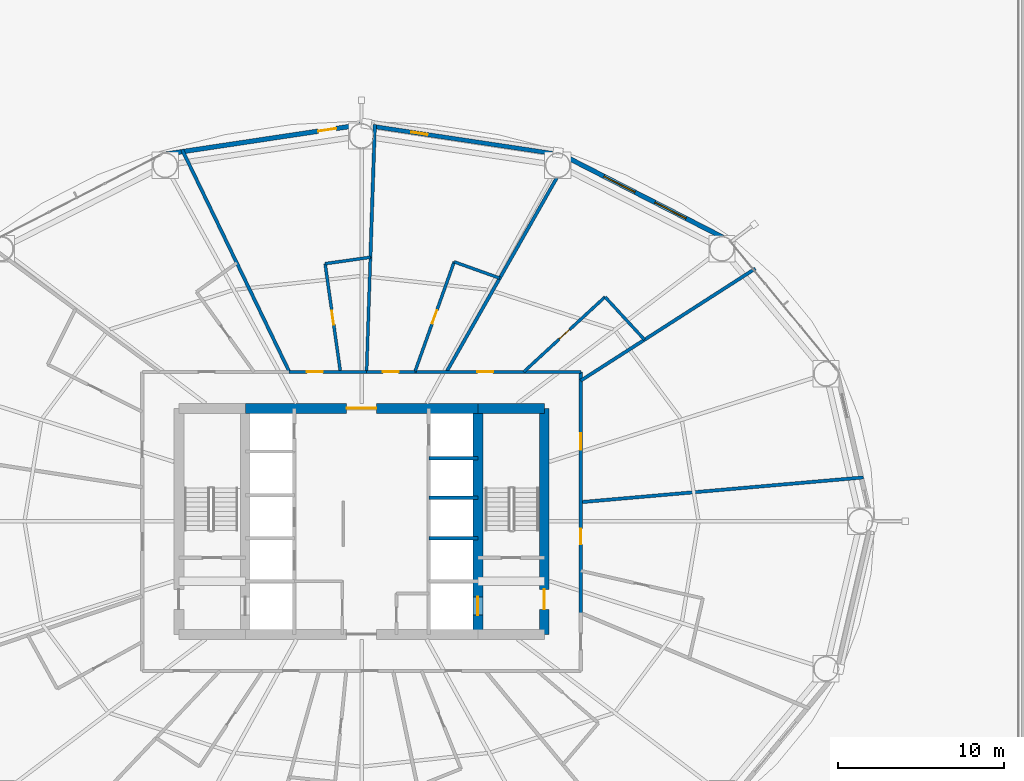
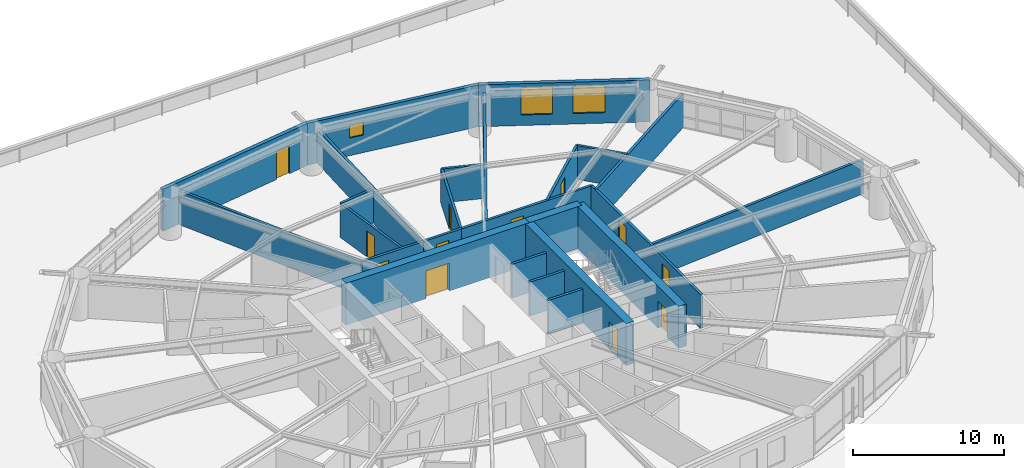
# One storey, part 25 of 30: 26 walls, 12 doors, 3 windows, 15 openings.
"""IFC4 building model written with IfcOpenShell, lengths in metres."""

import ifcopenshell
import ifcopenshell.guid

model = None  # the IFC model being written
_history = None  # IfcOwnerHistory: only IFC2X3 demands one
_inside = {}  # id of a spatial element -> (the spatial element, [elements in it])
_under = {}  # id of a project, library or spatial element -> (it, [spatial elements below it])
_declared = {}  # id of a project -> (the project, [libraries it declares])
_typed = {}  # id of a type object -> (the type object, [elements of that type])
_made_of = {}  # id of a material, layer set ... -> (it, [elements and type objects made of it])


def new_model(schema):
    """Start an empty IFC model of exactly this schema.

    Asked for "IFC4X3", IfcOpenShell would pick the latest addendum, in which some entities
    have other attributes; the version numbers below select the first issue.
    IFC2X3 requires an IfcOwnerHistory on every rooted entity: one is made here for all.
    """
    global model, _history
    if schema == "IFC4X3":
        model = ifcopenshell.file(schema_version=(4, 3, 0, 0))
    else:
        model = ifcopenshell.file(schema=schema)
    _inside.clear()
    _under.clear()
    _declared.clear()
    _typed.clear()
    _made_of.clear()
    _history = None
    if model.schema == "IFC2X3":
        org = make("IfcOrganization", Name="unknown")
        user = make(
            "IfcPersonAndOrganization",
            ThePerson=make("IfcPerson", FamilyName="unknown"),
            TheOrganization=org,
        )
        app = make(
            "IfcApplication",
            ApplicationDeveloper=org,
            Version="unknown",
            ApplicationFullName="unknown",
            ApplicationIdentifier="unknown",
        )
        _history = make(
            "IfcOwnerHistory",
            OwningUser=user,
            OwningApplication=app,
            ChangeAction="ADDED",
            CreationDate=0,
        )
    return model


def make(cls, **values):
    """One entity of the class cls with the attributes given. An attribute that is None is left unset."""
    return model.create_entity(
        cls, **{name: value for name, value in values.items() if value is not None}
    )


def rooted(cls, **values):
    """An entity with a GlobalId (a new one), such as an element, a storey or a relation."""
    return make(cls, GlobalId=ifcopenshell.guid.new(), OwnerHistory=_history, **values)


def si_unit(unit_type, name, prefix=None):
    """IfcSIUnit, for example si_unit("LENGTHUNIT", "METRE", prefix="MILLI")."""
    return make("IfcSIUnit", UnitType=unit_type, Prefix=prefix, Name=name)


def assignment(units):
    """IfcUnitAssignment: the units of a project."""
    return None if units is None else make("IfcUnitAssignment", Units=units)


def point(xyz):
    """IfcCartesianPoint."""
    return None if xyz is None else make("IfcCartesianPoint", Coordinates=xyz)


def direction(xyz):
    """IfcDirection."""
    return None if xyz is None else make("IfcDirection", DirectionRatios=xyz)


def frame(location, z_axis=None, x_axis=None):
    """IfcAxis2Placement3D, a coordinate frame: its origin and axes. An axis left out is left unset."""
    return make(
        "IfcAxis2Placement3D",
        Location=point(location),
        Axis=direction(z_axis),
        RefDirection=direction(x_axis),
    )


def frame_2d(location, x_axis=None):
    """IfcAxis2Placement2D, a coordinate frame in the plane: its origin and x axis."""
    return make(
        "IfcAxis2Placement2D", Location=point(location), RefDirection=direction(x_axis)
    )


def origin():
    """The frame at (0, 0, 0) with its axes left unset."""
    return frame((0.0, 0.0, 0.0))


def place(relative_to, where):
    """IfcLocalPlacement: puts the frame where relative to a parent placement (None: the world)."""
    return make(
        "IfcLocalPlacement", PlacementRelTo=relative_to, RelativePlacement=where
    )


def context(
    kind, dimensions, precision=None, world=None, true_north=None, identifier=None
):
    """IfcGeometricRepresentationContext, for example the 3D "Model" context."""
    return make(
        "IfcGeometricRepresentationContext",
        ContextIdentifier=identifier,
        ContextType=kind,
        CoordinateSpaceDimension=dimensions,
        Precision=precision,
        WorldCoordinateSystem=world,
        TrueNorth=true_north,
    )


def subcontext(parent, identifier, kind, view, scale=None):
    """IfcGeometricRepresentationSubContext, for example "Body" below "Model"."""
    return make(
        "IfcGeometricRepresentationSubContext",
        ContextIdentifier=identifier,
        ContextType=kind,
        ParentContext=parent,
        TargetScale=scale,
        TargetView=view,
    )


def project(units=None, contexts=None):
    """IfcProject with its units and contexts."""
    return rooted(
        "IfcProject",
        Name="project",
        RepresentationContexts=contexts,
        UnitsInContext=assignment(units),
    )


def spatial(cls, under=None, at=None, **own):
    """A site, building, storey or space (cls), placed at a placement, below another one or the project."""
    s = rooted(cls, ObjectPlacement=at, **own)
    if under is not None:
        _under.setdefault(under.id(), (under, []))[1].append(s)
    return s


def profile(cls, at=None, kind="AREA", **sizes):
    """A parametric profile (cls). Its sizes go by their IFC names, for example OverallWidth=200.0."""
    return make(cls, ProfileType=kind, Position=at, **sizes)


def rectangle(**sizes):
    """IfcRectangleProfileDef."""
    return profile("IfcRectangleProfileDef", **sizes)


def extrude(swept, where, along, depth):
    """IfcExtrudedAreaSolid: the profile swept, set in the frame where, extruded along a direction by depth."""
    return make(
        "IfcExtrudedAreaSolid",
        SweptArea=swept,
        Position=where,
        ExtrudedDirection=direction(along),
        Depth=depth,
    )


def shape(context_of_items, identifier, shape_type, items):
    """IfcShapeRepresentation: the items that make up one representation, for example the "Body"."""
    return make(
        "IfcShapeRepresentation",
        ContextOfItems=context_of_items,
        RepresentationIdentifier=identifier,
        RepresentationType=shape_type,
        Items=items,
    )


def material(Name=None, Category=None):
    """IfcMaterial."""
    return make("IfcMaterial", Name=Name, Category=Category)


def layer(
    of_material, thickness, ventilated=None, Name=None, Category=None, Priority=None
):
    """IfcMaterialLayer: one layer of a wall or slab, of a material (None: an air gap)."""
    return make(
        "IfcMaterialLayer",
        Material=of_material,
        LayerThickness=thickness,
        IsVentilated=ventilated,
        Name=Name,
        Category=Category,
        Priority=Priority,
    )


def layer_set(layers, Name=None):
    """IfcMaterialLayerSet."""
    return make("IfcMaterialLayerSet", MaterialLayers=layers, LayerSetName=Name)


def made_of(thing, what):
    """Note that an element or type object is made of a material, layer set ...; save() writes the relation."""
    if what is not None:
        _made_of.setdefault(what.id(), (what, []))[1].append(thing)
    return thing


def type_object(cls, material=None, **own):
    """A type object (cls), such as IfcWallType, which elements share."""
    return made_of(rooted(cls, **own), material)


def element(
    cls,
    number,
    at=None,
    inside=None,
    cuts=None,
    type_object=None,
    material=None,
    context=None,
    identifier="Body",
    shape_type=None,
    held_by="IfcProductDefinitionShape",
    body=None,
    shapes=None,
    **own,
):
    """One element of the class cls, such as IfcWall. Its Tag is "e" and its number.

    at: its placement. inside: the storey or other place that contains it. cuts: it is an
    opening in that element (IfcRelVoidsElement). A single representation is given by context,
    identifier, shape_type and body (its items); several are given by shapes. held_by: the class
    of the entity that holds the representations. save() writes the other relations.
    """
    e = rooted(cls, Tag="e%d" % number, ObjectPlacement=at, **own)
    if body is not None:
        shapes = [shape(context, identifier, shape_type, body)]
    if shapes is not None:
        e.Representation = make(held_by, Representations=shapes)
    if inside is not None:
        _inside.setdefault(inside.id(), (inside, []))[1].append(e)
    if cuts is not None:
        rooted(
            "IfcRelVoidsElement", RelatingBuildingElement=cuts, RelatedOpeningElement=e
        )
    if type_object is not None:
        _typed.setdefault(type_object.id(), (type_object, []))[1].append(e)
    return made_of(e, material)


def fill(opening, filler):
    """IfcRelFillsElement: the door or window that sits in an opening."""
    return rooted(
        "IfcRelFillsElement",
        RelatingOpeningElement=opening,
        RelatedBuildingElement=filler,
    )


def aggregate(whole, parts):
    """IfcRelAggregates: a whole, such as a stair, and the parts it consists of."""
    return rooted("IfcRelAggregates", RelatingObject=whole, RelatedObjects=parts)


def save(model, path):
    """Write the relations noted so far, then the file.

    IfcRelAggregates (storeys below a building ...), IfcRelContainedInSpatialStructure (elements
    in a storey), IfcRelDefinesByType, IfcRelAssociatesMaterial and IfcRelDeclares: one each for
    every whole, place, type object, material and project.
    """
    for whole, parts in _under.values():
        aggregate(whole, parts)
    for where, things in _inside.values():
        rooted(
            "IfcRelContainedInSpatialStructure",
            RelatedElements=things,
            RelatingStructure=where,
        )
    for kind, things in _typed.values():
        rooted("IfcRelDefinesByType", RelatedObjects=things, RelatingType=kind)
    for what, things in _made_of.values():
        rooted("IfcRelAssociatesMaterial", RelatedObjects=things, RelatingMaterial=what)
    for by, libraries in _declared.values():
        rooted("IfcRelDeclares", RelatingContext=by, RelatedDefinitions=libraries)
    model.write(path)


model = new_model("IFC4")

# Units and contexts
model_context = context("Model", 3, precision=1e-05, world=origin(), true_north=direction((0.0, 1.0)))
body_context = subcontext(model_context, "Body", "Model", "MODEL_VIEW")
ifc_project = project(units=[si_unit("LENGTHUNIT", "METRE"), si_unit("AREAUNIT", "SQUARE_METRE"), si_unit("VOLUMEUNIT", "CUBIC_METRE"), si_unit("PLANEANGLEUNIT", "RADIAN"), si_unit("MASSUNIT", "GRAM", prefix="KILO")], contexts=[model_context])

# Site, building, storey
site_placement = place(None, origin())
site = spatial("IfcSite", under=ifc_project, at=site_placement, CompositionType="ELEMENT")
building_placement = place(site_placement, origin())
building = spatial("IfcBuilding", under=site, at=building_placement, Name="Sarneth Arch Tower", CompositionType="ELEMENT")
storey_placement = place(building_placement, frame((0.0, 0.0, 28.199951171875)))
storey = spatial("IfcBuildingStorey", under=building, at=storey_placement, Name="L05", CompositionType="ELEMENT", Elevation=28.199951171875)

# Wall, opening, door
ifc_material_1 = material(Name="Concrete C60/75", Category="concrete")
ifc_layer_1 = layer(ifc_material_1, 0.60009765625)
ifc_layer_set_1 = layer_set([ifc_layer_1], Name="Concrete C60/75")
wall_type_1 = type_object("IfcWallType", Name="WALL-CORE-600", PredefinedType="SHEAR", material=ifc_layer_set_1)
wall_1_placement = place(storey_placement, frame((41.0, 48.800048828125, 0.0), z_axis=(0.0, 0.0, 1.0), x_axis=(1.0, 0.0, 0.0)))
wall_1 = element("IfcWall", 1, at=wall_1_placement, inside=storey, type_object=wall_type_1, Name="L05 Core shear wall N-M", PredefinedType="SHEAR", context=body_context, shape_type="SweptSolid", body=[
    extrude(rectangle(XDim=14.0, YDim=0.60009765625, at=frame_2d((7.0, 0.0))), origin(), (0.0, 0.0, 1.0), 3.380126953125),
])
opening_1_placement = place(wall_1_placement, frame((6.10009765625, 0.0, 0.0)))
opening_1 = element("IfcOpeningElement", 2, at=opening_1_placement, cuts=wall_1, Name="Opening FD-01", PredefinedType="OPENING", context=body_context, shape_type="SweptSolid", body=[
    extrude(rectangle(XDim=1.800048828125, YDim=2.25, at=frame_2d((0.89990234375, 1.125))), frame((0.0, 0.31005859375, 0.0), z_axis=(0.0, -1.0, 0.0), x_axis=(1.0, 0.0, 0.0)), (0.0, 0.0, 1.0), 0.6201171875),
])
ifc_material_2 = material(Name="Galvanised Steel S275 fire door set", Category="steel")
door_type_1 = type_object("IfcDoorType", Name="DR-FD90-1800", OperationType="DOUBLE_DOOR_SINGLE_SWING", PredefinedType="DOOR", material=ifc_material_2)
door_1_placement = place(opening_1_placement, origin())
door_1 = element("IfcDoor", 3, at=door_1_placement, inside=storey, type_object=door_type_1, Name="L05 Central lift lobby north door", OperationType="DOUBLE_DOOR_SINGLE_SWING", OverallHeight=2.25, OverallWidth=1.800048828125, PredefinedType="DOOR", context=body_context, shape_type="SweptSolid", body=[
    extrude(rectangle(XDim=1.800048828125, YDim=2.25, at=frame_2d((0.89990234375, 1.125))), frame((0.0, 0.02490234375, 0.0), z_axis=(0.0, -1.0, 0.0), x_axis=(1.0, 0.0, 0.0)), (0.0, 0.0, 1.0), 0.050048828125),
])
fill(opening_1, door_1)

# Wall
wall_2_placement = place(storey_placement, frame((55.0, 48.800048828125, 0.0), z_axis=(0.0, 0.0, 1.0), x_axis=(1.0, 0.0, 0.0)))
element("IfcWall", 4, at=wall_2_placement, inside=storey, type_object=wall_type_1, Name="L05 Core shear wall N-E", PredefinedType="SHEAR", context=body_context, shape_type="SweptSolid", body=[
    extrude(rectangle(XDim=4.0, YDim=0.60009765625, at=frame_2d((2.0, 0.0))), origin(), (0.0, 0.0, 1.0), 3.380126953125),
])

# Wall, opening, door
wall_3_placement = place(storey_placement, frame((59.0, 35.199951171875, 0.0), z_axis=(0.0, 0.0, 1.0), x_axis=(0.0, 1.0, 0.0)))
wall_3 = element("IfcWall", 5, at=wall_3_placement, inside=storey, type_object=wall_type_1, Name="L05 Core shear wall E", PredefinedType="SHEAR", context=body_context, shape_type="SweptSolid", body=[
    extrude(rectangle(XDim=13.60009765625, YDim=0.60009765625, at=frame_2d((6.800048828125, 0.0))), origin(), (0.0, 0.0, 1.0), 3.380126953125),
])
opening_2_placement = place(wall_3_placement, frame((1.5, 0.0, 0.0)))
opening_2 = element("IfcOpeningElement", 6, at=opening_2_placement, cuts=wall_3, Name="Opening FD-02", PredefinedType="OPENING", context=body_context, shape_type="SweptSolid", body=[
    extrude(rectangle(XDim=1.199951171875, YDim=2.14990234375, at=frame_2d((0.60009765625, 1.074951171875))), frame((0.0, 0.31005859375, 0.0), z_axis=(0.0, -1.0, 0.0), x_axis=(1.0, 0.0, 0.0)), (0.0, 0.0, 1.0), 0.6201171875),
])
ifc_material_3 = material(Name="Galvanised Steel S275 fire door set", Category="steel")
door_type_2 = type_object("IfcDoorType", Name="DR-FD90-1200", OperationType="SINGLE_SWING_LEFT", PredefinedType="DOOR", material=ifc_material_3)
door_2_placement = place(opening_2_placement, origin())
door_2 = element("IfcDoor", 7, at=door_2_placement, inside=storey, type_object=door_type_2, Name="L05 Firefighting lobby 2 exit door", OperationType="SINGLE_SWING_RIGHT", OverallHeight=2.14990234375, OverallWidth=1.199951171875, PredefinedType="DOOR", context=body_context, shape_type="SweptSolid", body=[
    extrude(rectangle(XDim=1.199951171875, YDim=2.14990234375, at=frame_2d((0.60009765625, 1.074951171875))), frame((0.0, 0.02490234375, 0.0), z_axis=(0.0, -1.0, 0.0), x_axis=(1.0, 0.0, 0.0)), (0.0, 0.0, 1.0), 0.050048828125),
])
fill(opening_2, door_2)

wall_4_placement = place(storey_placement, frame((55.0, 35.199951171875, 0.0), z_axis=(0.0, 0.0, 1.0), x_axis=(0.0, 1.0, 0.0)))
wall_4 = element("IfcWall", 8, at=wall_4_placement, inside=storey, type_object=wall_type_1, Name="L05 Core shear wall WEB-E", PredefinedType="SHEAR", context=body_context, shape_type="SweptSolid", body=[
    extrude(rectangle(XDim=13.60009765625, YDim=0.60009765625, at=frame_2d((6.800048828125, 0.0))), origin(), (0.0, 0.0, 1.0), 3.380126953125),
])
opening_3_placement = place(wall_4_placement, frame((1.14990234375, 0.0, 0.0)))
opening_3 = element("IfcOpeningElement", 9, at=opening_3_placement, cuts=wall_4, Name="Opening LD-1", PredefinedType="OPENING", context=body_context, shape_type="SweptSolid", body=[
    extrude(rectangle(XDim=1.10009765625, YDim=2.199951171875, at=frame_2d((0.550048828125, 1.10009765625))), frame((0.0, 0.31005859375, 0.0), z_axis=(0.0, -1.0, 0.0), x_axis=(1.0, 0.0, 0.0)), (0.0, 0.0, 1.0), 0.6201171875),
])
ifc_material_4 = material(Name="Brushed Stainless Steel 304 lift landing door", Category="steel")
door_type_3 = type_object("IfcDoorType", Name="DR-LIFT-SLIDE-1100", OperationType="SLIDING_TO_LEFT", PredefinedType="DOOR", material=ifc_material_4)
door_3_placement = place(opening_3_placement, origin())
door_3 = element("IfcDoor", 10, at=door_3_placement, inside=storey, type_object=door_type_3, Name="L05 Firefighting lift landing door FL-2", OperationType="SLIDING_TO_RIGHT", OverallHeight=2.199951171875, OverallWidth=1.10009765625, PredefinedType="DOOR", context=body_context, shape_type="SweptSolid", body=[
    extrude(rectangle(XDim=1.10009765625, YDim=2.199951171875, at=frame_2d((0.550048828125, 1.10009765625))), frame((0.0, 0.02490234375, 0.0), z_axis=(0.0, -1.0, 0.0), x_axis=(1.0, 0.0, 0.0)), (0.0, 0.0, 1.0), 0.050048828125),
])
fill(opening_3, door_3)

# Wall, openings, doors
ifc_material_5 = material(Name="Double steel-stud corridor fire wall", Category="steel")
ifc_layer_2 = layer(ifc_material_5, 0.18994140625)
ifc_layer_set_2 = layer_set([ifc_layer_2], Name="Double steel-stud corridor fire wall")
wall_type_2 = type_object("IfcWallType", Name="WALL-CORR-190", PredefinedType="PARTITIONING", material=ifc_layer_set_2)
wall_5_placement = place(storey_placement, frame((61.199951171875, 51.0, 0.0), z_axis=(0.0, 0.0, 1.0), x_axis=(0.0, -1.0, 0.0)))
wall_5 = element("IfcWall", 11, at=wall_5_placement, inside=storey, type_object=wall_type_2, Name="L05 Interior partition W-L05-TP-001", PredefinedType="PARTITIONING", context=body_context, shape_type="SweptSolid", body=[
    extrude(rectangle(XDim=14.55419921875, YDim=0.18994140625, at=frame_2d((7.277099609375, 0.0))), origin(), (0.0, 0.0, 1.0), 2.739990234375),
])
opening_4_placement = place(wall_5_placement, frame((3.683837890625, 0.0, 0.0)))
opening_4 = element("IfcOpeningElement", 12, at=opening_4_placement, cuts=wall_5, Name="Opening FD-08", PredefinedType="OPENING", context=body_context, shape_type="SweptSolid", body=[
    extrude(rectangle(XDim=1.0, YDim=2.199951171875, at=frame_2d((0.5, 1.10009765625))), frame((0.0, 0.10498046875, 0.0), z_axis=(0.0, -1.0, 0.0), x_axis=(1.0, 0.0, 0.0)), (0.0, 0.0, 1.0), 0.2099609375),
])
opening_5_placement = place(wall_5_placement, frame((9.43798828125, 0.0, 0.0)))
opening_5 = element("IfcOpeningElement", 13, at=opening_5_placement, cuts=wall_5, Name="Opening FD-09", PredefinedType="OPENING", context=body_context, shape_type="SweptSolid", body=[
    extrude(rectangle(XDim=0.949951171875, YDim=2.14990234375, at=frame_2d((0.47509765625, 1.074951171875))), frame((0.0, 0.10498046875, 0.0), z_axis=(0.0, -1.0, 0.0), x_axis=(1.0, 0.0, 0.0)), (0.0, 0.0, 1.0), 0.2099609375),
])
ifc_material_6 = material(Name="Hardwood timber acoustic fire door", Category="wood")
door_type_4 = type_object("IfcDoorType", Name="DR-FD60-1000", OperationType="SINGLE_SWING_LEFT", PredefinedType="DOOR", material=ifc_material_6)
door_4_placement = place(opening_4_placement, origin())
door_4 = element("IfcDoor", 14, at=door_4_placement, inside=storey, type_object=door_type_4, Name="L05 Interior door DR-L05-AMN-01", OperationType="SINGLE_SWING_LEFT", OverallHeight=2.199951171875, OverallWidth=1.0, PredefinedType="DOOR", context=body_context, shape_type="SweptSolid", body=[
    extrude(rectangle(XDim=1.0, YDim=2.199951171875, at=frame_2d((0.5, 1.10009765625))), frame((0.0, 0.02490234375, 0.0), z_axis=(0.0, -1.0, 0.0), x_axis=(1.0, 0.0, 0.0)), (0.0, 0.0, 1.0), 0.050048828125),
])
fill(opening_4, door_4)
ifc_material_7 = material(Name="Hardwood timber hotel entrance fire door", Category="wood")
door_type_5 = type_object("IfcDoorType", Name="DR-FD60-950", OperationType="SINGLE_SWING_RIGHT", PredefinedType="DOOR", material=ifc_material_7)
door_5_placement = place(opening_5_placement, origin())
door_5 = element("IfcDoor", 15, at=door_5_placement, inside=storey, type_object=door_type_5, Name="L05 Interior door DR-L05-KEY-13", OperationType="SINGLE_SWING_LEFT", OverallHeight=2.14990234375, OverallWidth=0.949951171875, PredefinedType="DOOR", context=body_context, shape_type="SweptSolid", body=[
    extrude(rectangle(XDim=0.949951171875, YDim=2.14990234375, at=frame_2d((0.47509765625, 1.074951171875))), frame((0.0, 0.02490234375, 0.0), z_axis=(0.0, -1.0, 0.0), x_axis=(1.0, 0.0, 0.0)), (0.0, 0.0, 1.0), 0.050048828125),
])
fill(opening_5, door_5)

# Wall, opening, door
wall_6_placement = place(storey_placement, frame((51.178955078125, 51.0, 0.0), z_axis=(0.0, 0.0, 1.0), x_axis=(1.0, 0.0, 0.0)))
wall_6 = element("IfcWall", 16, at=wall_6_placement, inside=storey, type_object=wall_type_2, Name="L05 Interior partition W-L05-TP-002", PredefinedType="PARTITIONING", context=body_context, shape_type="SweptSolid", body=[
    extrude(rectangle(XDim=10.02099609375, YDim=0.18994140625, at=frame_2d((5.010498046875, 0.0))), origin(), (0.0, 0.0, 1.0), 2.739990234375),
])
opening_6_placement = place(wall_6_placement, frame((3.79248046875, 0.0, 0.0)))
opening_6 = element("IfcOpeningElement", 17, at=opening_6_placement, cuts=wall_6, Name="Opening FD-09", PredefinedType="OPENING", context=body_context, shape_type="SweptSolid", body=[
    extrude(rectangle(XDim=0.949951171875, YDim=2.14990234375, at=frame_2d((0.47509765625, 1.074951171875))), frame((0.0, 0.10498046875, 0.0), z_axis=(0.0, -1.0, 0.0), x_axis=(1.0, 0.0, 0.0)), (0.0, 0.0, 1.0), 0.2099609375),
])
door_6_placement = place(opening_6_placement, origin())
door_6 = element("IfcDoor", 18, at=door_6_placement, inside=storey, type_object=door_type_5, Name="L05 Interior door DR-L05-KEY-02", OperationType="SINGLE_SWING_RIGHT", OverallHeight=2.14990234375, OverallWidth=0.949951171875, PredefinedType="DOOR", context=body_context, shape_type="SweptSolid", body=[
    extrude(rectangle(XDim=0.949951171875, YDim=2.14990234375, at=frame_2d((0.47509765625, 1.074951171875))), frame((0.0, 0.02490234375, 0.0), z_axis=(0.0, -1.0, 0.0), x_axis=(1.0, 0.0, 0.0)), (0.0, 0.0, 1.0), 0.050048828125),
])
fill(opening_6, door_6)

wall_7_placement = place(storey_placement, frame((43.61962890625, 51.0, 0.0), z_axis=(0.0, 0.0, 1.0), x_axis=(1.0, 0.0, 0.0)))
wall_7 = element("IfcWall", 19, at=wall_7_placement, inside=storey, type_object=wall_type_2, Name="L05 Interior partition W-L05-TP-007", PredefinedType="PARTITIONING", context=body_context, shape_type="SweptSolid", body=[
    extrude(rectangle(XDim=4.6826171875, YDim=0.18994140625, at=frame_2d((2.34130859375, 0.0))), origin(), (0.0, 0.0, 1.0), 2.739990234375),
])
opening_7_placement = place(wall_7_placement, frame((1.09521484375, 0.0, 0.0)))
opening_7 = element("IfcOpeningElement", 20, at=opening_7_placement, cuts=wall_7, Name="Opening FD-09", PredefinedType="OPENING", context=body_context, shape_type="SweptSolid", body=[
    extrude(rectangle(XDim=0.949951171875, YDim=2.14990234375, at=frame_2d((0.47509765625, 1.074951171875))), frame((0.0, 0.10498046875, 0.0), z_axis=(0.0, -1.0, 0.0), x_axis=(1.0, 0.0, 0.0)), (0.0, 0.0, 1.0), 0.2099609375),
])
door_7_placement = place(opening_7_placement, origin())
door_7 = element("IfcDoor", 21, at=door_7_placement, inside=storey, type_object=door_type_5, Name="L05 Interior door DR-L05-KEY-04", OperationType="SINGLE_SWING_LEFT", OverallHeight=2.14990234375, OverallWidth=0.949951171875, PredefinedType="DOOR", context=body_context, shape_type="SweptSolid", body=[
    extrude(rectangle(XDim=0.949951171875, YDim=2.14990234375, at=frame_2d((0.47509765625, 1.074951171875))), frame((0.0, 0.02490234375, 0.0), z_axis=(0.0, -1.0, 0.0), x_axis=(1.0, 0.0, 0.0)), (0.0, 0.0, 1.0), 0.050048828125),
])
fill(opening_7, door_7)

wall_8_placement = place(storey_placement, frame((51.212890625, 51.0, 0.0), z_axis=(0.0, 0.0, 1.0), x_axis=(-1.0, 0.0, 0.0)))
wall_8 = element("IfcWall", 22, at=wall_8_placement, inside=storey, type_object=wall_type_2, Name="L05 Interior partition W-L05-TP-005", PredefinedType="PARTITIONING", context=body_context, shape_type="SweptSolid", body=[
    extrude(rectangle(XDim=2.91064453125, YDim=0.18994140625, at=frame_2d((1.455322265625, 0.0))), origin(), (0.0, 0.0, 1.0), 2.739990234375),
])
opening_8_placement = place(wall_8_placement, frame((0.980224609375, 0.0, 0.0)))
opening_8 = element("IfcOpeningElement", 23, at=opening_8_placement, cuts=wall_8, Name="Opening FD-09", PredefinedType="OPENING", context=body_context, shape_type="SweptSolid", body=[
    extrude(rectangle(XDim=0.949951171875, YDim=2.14990234375, at=frame_2d((0.47509765625, 1.074951171875))), frame((0.0, 0.10498046875, 0.0), z_axis=(0.0, -1.0, 0.0), x_axis=(1.0, 0.0, 0.0)), (0.0, 0.0, 1.0), 0.2099609375),
])
door_8_placement = place(opening_8_placement, origin())
door_8 = element("IfcDoor", 24, at=door_8_placement, inside=storey, type_object=door_type_5, Name="L05 Interior door DR-L05-KEY-03", OperationType="SINGLE_SWING_LEFT", OverallHeight=2.14990234375, OverallWidth=0.949951171875, PredefinedType="DOOR", context=body_context, shape_type="SweptSolid", body=[
    extrude(rectangle(XDim=0.949951171875, YDim=2.14990234375, at=frame_2d((0.47509765625, 1.074951171875))), frame((0.0, 0.02490234375, 0.0), z_axis=(0.0, -1.0, 0.0), x_axis=(1.0, 0.0, 0.0)), (0.0, 0.0, 1.0), 0.050048828125),
])
fill(opening_8, door_8)

# Wall, opening, window
ifc_material_8 = material(Name="Extruded terracotta rainscreen on Concrete C40/50 backing", Category="masonry")
ifc_layer_3 = layer(ifc_material_8, 0.25)
ifc_layer_set_3 = layer_set([ifc_layer_3], Name="Extruded terracotta rainscreen on Concrete C40/50 backing")
wall_type_3 = type_object("IfcWallType", Name="WALL-EXT-SPAND-250", PredefinedType="SOLIDWALL", material=ifc_layer_set_3)
wall_9_placement = place(storey_placement, frame((60.077880859375, 64.062255859375, 0.0), z_axis=(0.0, 0.0, 1.0), x_axis=(-0.988864835849, 0.148816452121, 0.0)))
wall_9 = element("IfcWall", 25, at=wall_9_placement, inside=storey, type_object=wall_type_3, Name="L05 Terracotta perimeter wall 04", PredefinedType="SOLIDWALL", context=body_context, shape_type="SweptSolid", body=[
    extrude(rectangle(XDim=12.2138671875, YDim=0.25, at=frame_2d((6.10693359375, 0.0))), origin(), (0.0, 0.0, 1.0), 3.380126953125),
])
opening_9_placement = place(wall_9_placement, frame((8.195068359375, 0.0, 1.419921875)))
opening_9 = element("IfcOpeningElement", 26, at=opening_9_placement, cuts=wall_9, Name="Opening W-14", PredefinedType="OPENING", context=body_context, shape_type="SweptSolid", body=[
    extrude(rectangle(XDim=1.0, YDim=1.050048828125, at=frame_2d((0.5, 0.52490234375))), frame((0.0, 0.135009765625, 0.0), z_axis=(0.0, -1.0, 0.0), x_axis=(1.0, 0.0, 0.0)), (0.0, 0.0, 1.0), 0.27001953125),
])
ifc_material_9 = material(Name="Thermally broken Aluminium 6063-T6 and low-e laminated IGU", Category="aluminium")
window_type_1 = type_object("IfcWindowType", Name="WIN-TWR-1000x1050", PartitioningType="SINGLE_PANEL", PredefinedType="WINDOW", material=ifc_material_9)
window_1_placement = place(opening_9_placement, origin())
window_1 = element("IfcWindow", 27, at=window_1_placement, inside=storey, type_object=window_type_1, Name="L05 Dwelling bedroom window 01", OverallHeight=1.050048828125, OverallWidth=1.0, PartitioningType="SINGLE_PANEL", PredefinedType="WINDOW", context=body_context, shape_type="SweptSolid", body=[
    extrude(rectangle(XDim=1.0, YDim=1.050048828125, at=frame_2d((0.5, 0.52490234375))), frame((0.0, 0.030029296875, 0.0), z_axis=(0.0, -1.0, 0.0), x_axis=(1.0, 0.0, 0.0)), (0.0, 0.0, 1.0), 0.06005859375),
])
fill(opening_9, window_1)

# Wall, openings, windows
ifc_material_10 = material(Name="Extruded terracotta rainscreen on Concrete C40/50 backing", Category="masonry")
ifc_layer_4 = layer(ifc_material_10, 0.280029296875)
ifc_layer_set_4 = layer_set([ifc_layer_4], Name="Extruded terracotta rainscreen on Concrete C40/50 backing")
wall_type_4 = type_object("IfcWallType", Name="WALL-EXT-TERRA-280", PredefinedType="SOLIDWALL", material=ifc_layer_set_4)
wall_10_placement = place(storey_placement, frame((70.174072265625, 58.8857421875, 0.0), z_axis=(0.0, 0.0, 1.0), x_axis=(-0.889853976658, 0.456245438581, 0.0)))
wall_10 = element("IfcWall", 28, at=wall_10_placement, inside=storey, type_object=wall_type_4, Name="L05 Terracotta perimeter wall 03", PredefinedType="SOLIDWALL", context=body_context, shape_type="SweptSolid", body=[
    extrude(rectangle(XDim=11.345947265625, YDim=0.280029296875, at=frame_2d((5.6728515625, 0.0))), origin(), (0.0, 0.0, 1.0), 3.380126953125),
])
opening_10_placement = place(wall_10_placement, frame((2.96728515625, 0.0, 0.85009765625)))
opening_10 = element("IfcOpeningElement", 29, at=opening_10_placement, cuts=wall_10, Name="Opening W-03", PredefinedType="OPENING", context=body_context, shape_type="SweptSolid", body=[
    extrude(rectangle(XDim=2.10009765625, YDim=2.199951171875, at=frame_2d((1.050048828125, 1.10009765625))), frame((0.0, 0.14990234375, 0.0), z_axis=(0.0, -1.0, 0.0), x_axis=(1.0, 0.0, 0.0)), (0.0, 0.0, 1.0), 0.300048828125),
])
opening_11_placement = place(wall_10_placement, frame((6.428955078125, 0.0, 0.85009765625)))
opening_11 = element("IfcOpeningElement", 30, at=opening_11_placement, cuts=wall_10, Name="Opening W-03", PredefinedType="OPENING", context=body_context, shape_type="SweptSolid", body=[
    extrude(rectangle(XDim=2.10009765625, YDim=2.199951171875, at=frame_2d((1.050048828125, 1.10009765625))), frame((0.0, 0.14990234375, 0.0), z_axis=(0.0, -1.0, 0.0), x_axis=(1.0, 0.0, 0.0)), (0.0, 0.0, 1.0), 0.300048828125),
])
ifc_material_11 = material(Name="Thermally broken Aluminium 6063-T6 and low-e laminated IGU", Category="aluminium")
window_type_2 = type_object("IfcWindowType", Name="WIN-TWR-2100x2200", PartitioningType="DOUBLE_PANEL_VERTICAL", PredefinedType="WINDOW", material=ifc_material_11)
window_2_placement = place(opening_10_placement, origin())
window_2 = element("IfcWindow", 31, at=window_2_placement, inside=storey, type_object=window_type_2, Name="L05 Exterior window 03A", OverallHeight=2.199951171875, OverallWidth=2.10009765625, PartitioningType="SINGLE_PANEL", PredefinedType="WINDOW", context=body_context, shape_type="SweptSolid", body=[
    extrude(rectangle(XDim=2.10009765625, YDim=2.199951171875, at=frame_2d((1.050048828125, 1.10009765625))), frame((0.0, 0.030029296875, 0.0), z_axis=(0.0, -1.0, 0.0), x_axis=(1.0, 0.0, 0.0)), (0.0, 0.0, 1.0), 0.06005859375),
])
fill(opening_10, window_2)
window_3_placement = place(opening_11_placement, origin())
window_3 = element("IfcWindow", 32, at=window_3_placement, inside=storey, type_object=window_type_2, Name="L05 Exterior window 03B", OverallHeight=2.199951171875, OverallWidth=2.10009765625, PartitioningType="SINGLE_PANEL", PredefinedType="WINDOW", context=body_context, shape_type="SweptSolid", body=[
    extrude(rectangle(XDim=2.10009765625, YDim=2.199951171875, at=frame_2d((1.050048828125, 1.10009765625))), frame((0.0, 0.030029296875, 0.0), z_axis=(0.0, -1.0, 0.0), x_axis=(1.0, 0.0, 0.0)), (0.0, 0.0, 1.0), 0.06005859375),
])
fill(opening_11, window_3)

# Wall, opening, door
wall_11_placement = place(storey_placement, frame((48.0, 65.8798828125, 0.0), z_axis=(0.0, 0.0, 1.0), x_axis=(-0.988864835849, -0.148816452121, 0.0)))
wall_11 = element("IfcWall", 33, at=wall_11_placement, inside=storey, type_object=wall_type_4, Name="L05 Terracotta perimeter wall 05", PredefinedType="SOLIDWALL", context=body_context, shape_type="SweptSolid", body=[
    extrude(rectangle(XDim=12.2138671875, YDim=0.280029296875, at=frame_2d((6.10693359375, 0.0))), origin(), (0.0, 0.0, 1.0), 3.380126953125),
])
opening_12_placement = place(wall_11_placement, frame((1.53125, 0.0, 0.0)))
opening_12 = element("IfcOpeningElement", 34, at=opening_12_placement, cuts=wall_11, Name="Opening BD-3", PredefinedType="OPENING", context=body_context, shape_type="SweptSolid", body=[
    extrude(rectangle(XDim=1.10009765625, YDim=2.25, at=frame_2d((0.550048828125, 1.125))), frame((0.0, 0.14990234375, 0.0), z_axis=(0.0, -1.0, 0.0), x_axis=(1.0, 0.0, 0.0)), (0.0, 0.0, 1.0), 0.300048828125),
])
ifc_material_12 = material(Name="Thermally broken Aluminium 6063-T6 and laminated safety glass", Category="aluminium")
door_type_6 = type_object("IfcDoorType", Name="DR-BALC-GLZ-1100", OperationType="SINGLE_SWING_LEFT", PredefinedType="DOOR", material=ifc_material_12)
door_9_placement = place(opening_12_placement, origin())
door_9 = element("IfcDoor", 35, at=door_9_placement, inside=storey, type_object=door_type_6, Name="L05 Maintenance roof access door 05", OperationType="SINGLE_SWING_LEFT", OverallHeight=2.25, OverallWidth=1.10009765625, PredefinedType="DOOR", context=body_context, shape_type="SweptSolid", body=[
    extrude(rectangle(XDim=1.10009765625, YDim=2.25, at=frame_2d((0.550048828125, 1.125))), frame((0.0, 0.02490234375, 0.0), z_axis=(0.0, -1.0, 0.0), x_axis=(1.0, 0.0, 0.0)), (0.0, 0.0, 1.0), 0.050048828125),
])
fill(opening_12, door_9)

ifc_material_13 = material(Name="Moisture-resistant plumbing chase wall", Category="gypsum")
ifc_layer_5 = layer(ifc_material_13, 0.179931640625)
ifc_layer_set_5 = layer_set([ifc_layer_5], Name="Moisture-resistant plumbing chase wall")
wall_type_5 = type_object("IfcWallType", Name="WALL-PLUMB-180", PredefinedType="PLUMBINGWALL", material=ifc_layer_set_5)
wall_12_placement = place(storey_placement, frame((53.576416015625, 57.62060546875, 0.0), z_axis=(0.0, 0.0, 1.0), x_axis=(-0.336213191961, -0.941785904307, 0.0)))
wall_12 = element("IfcWall", 36, at=wall_12_placement, inside=storey, type_object=wall_type_5, Name="L05 Interior partition W-L05-TP-037", PredefinedType="PLUMBINGWALL", context=body_context, shape_type="SweptSolid", body=[
    extrude(rectangle(XDim=7.02978515625, YDim=0.179931640625, at=frame_2d((3.514892578125, 0.0))), origin(), (0.0, 0.0, 1.0), 2.739990234375),
])
opening_13_placement = place(wall_12_placement, frame((3.08984375, 0.0, 0.0)))
opening_13 = element("IfcOpeningElement", 37, at=opening_13_placement, cuts=wall_12, Name="Opening ID-02", PredefinedType="OPENING", context=body_context, shape_type="SweptSolid", body=[
    extrude(rectangle(XDim=0.85009765625, YDim=2.10009765625, at=frame_2d((0.425048828125, 1.050048828125))), frame((0.0, 0.099853515625, 0.0), z_axis=(0.0, -1.0, 0.0), x_axis=(1.0, 0.0, 0.0)), (0.0, 0.0, 1.0), 0.199951171875),
])
ifc_material_14 = material(Name="Moisture-resistant bathroom timber door", Category="wood")
door_type_7 = type_object("IfcDoorType", Name="DR-INT-850", OperationType="SINGLE_SWING_RIGHT", PredefinedType="DOOR", material=ifc_material_14)
door_10_placement = place(opening_13_placement, origin())
door_10 = element("IfcDoor", 38, at=door_10_placement, inside=storey, type_object=door_type_7, Name="L05 Interior door DR-L05-ENS-03", OperationType="SINGLE_SWING_RIGHT", OverallHeight=2.10009765625, OverallWidth=0.85009765625, PredefinedType="DOOR", context=body_context, shape_type="SweptSolid", body=[
    extrude(rectangle(XDim=0.85009765625, YDim=2.10009765625, at=frame_2d((0.425048828125, 1.050048828125))), frame((0.0, 0.02490234375, 0.0), z_axis=(0.0, -1.0, 0.0), x_axis=(1.0, 0.0, 0.0)), (0.0, 0.0, 1.0), 0.050048828125),
])
fill(opening_13, door_10)

# Wall
wall_13_placement = place(storey_placement, frame((48.53369140625, 57.897216796875, 0.0), z_axis=(0.0, 0.0, 1.0), x_axis=(-0.033537457551, -0.999437461246, 0.0)))
element("IfcWall", 39, at=wall_13_placement, inside=storey, type_object=wall_type_5, Name="L05 Interior partition W-L05-TP-039", PredefinedType="PLUMBINGWALL", context=body_context, shape_type="SweptSolid", body=[
    extrude(rectangle(XDim=6.901123046875, YDim=0.179931640625, at=frame_2d((3.45068359375, 0.0))), origin(), (0.0, 0.0, 1.0), 2.739990234375),
])

# Wall, opening, door
wall_14_placement = place(storey_placement, frame((62.660400390625, 55.510009765625, 0.0), z_axis=(0.0, 0.0, 1.0), x_axis=(-0.735369975398, -0.67766584633, 0.0)))
wall_14 = element("IfcWall", 40, at=wall_14_placement, inside=storey, type_object=wall_type_5, Name="L05 Interior partition W-L05-TP-033", PredefinedType="PLUMBINGWALL", context=body_context, shape_type="SweptSolid", body=[
    extrude(rectangle(XDim=6.6552734375, YDim=0.179931640625, at=frame_2d((3.32763671875, 0.0))), origin(), (0.0, 0.0, 1.0), 2.739990234375),
])
opening_14_placement = place(wall_14_placement, frame((2.902587890625, 0.0, 0.0)))
opening_14 = element("IfcOpeningElement", 41, at=opening_14_placement, cuts=wall_14, Name="Opening ID-02", PredefinedType="OPENING", context=body_context, shape_type="SweptSolid", body=[
    extrude(rectangle(XDim=0.85009765625, YDim=2.10009765625, at=frame_2d((0.425048828125, 1.050048828125))), frame((0.0, 0.099853515625, 0.0), z_axis=(0.0, -1.0, 0.0), x_axis=(1.0, 0.0, 0.0)), (0.0, 0.0, 1.0), 0.199951171875),
])
door_11_placement = place(opening_14_placement, origin())
door_11 = element("IfcDoor", 42, at=door_11_placement, inside=storey, type_object=door_type_7, Name="L05 Interior door DR-L05-ENS-02", OperationType="SINGLE_SWING_RIGHT", OverallHeight=2.10009765625, OverallWidth=0.85009765625, PredefinedType="DOOR", context=body_context, shape_type="SweptSolid", body=[
    extrude(rectangle(XDim=0.85009765625, YDim=2.10009765625, at=frame_2d((0.425048828125, 1.050048828125))), frame((0.0, 0.02490234375, 0.0), z_axis=(0.0, -1.0, 0.0), x_axis=(1.0, 0.0, 0.0)), (0.0, 0.0, 1.0), 0.050048828125),
])
fill(opening_14, door_11)

wall_15_placement = place(storey_placement, frame((46.727783203125, 51.0, 0.0), z_axis=(0.0, 0.0, 1.0), x_axis=(-0.139991961821, 0.990152640064, 0.0)))
wall_15 = element("IfcWall", 43, at=wall_15_placement, inside=storey, type_object=wall_type_5, Name="L05 Interior partition W-L05-TP-040", PredefinedType="PLUMBINGWALL", context=body_context, shape_type="SweptSolid", body=[
    extrude(rectangle(XDim=6.576416015625, YDim=0.179931640625, at=frame_2d((3.2880859375, 0.0))), origin(), (0.0, 0.0, 1.0), 2.739990234375),
])
opening_15_placement = place(wall_15_placement, frame((2.86328125, 0.0, 0.0)))
opening_15 = element("IfcOpeningElement", 44, at=opening_15_placement, cuts=wall_15, Name="Opening ID-02", PredefinedType="OPENING", context=body_context, shape_type="SweptSolid", body=[
    extrude(rectangle(XDim=0.85009765625, YDim=2.10009765625, at=frame_2d((0.425048828125, 1.050048828125))), frame((0.0, 0.099853515625, 0.0), z_axis=(0.0, -1.0, 0.0), x_axis=(1.0, 0.0, 0.0)), (0.0, 0.0, 1.0), 0.199951171875),
])
door_12_placement = place(opening_15_placement, origin())
door_12 = element("IfcDoor", 45, at=door_12_placement, inside=storey, type_object=door_type_7, Name="L05 Interior door DR-L05-ENS-04", OperationType="SINGLE_SWING_RIGHT", OverallHeight=2.10009765625, OverallWidth=0.85009765625, PredefinedType="DOOR", context=body_context, shape_type="SweptSolid", body=[
    extrude(rectangle(XDim=0.85009765625, YDim=2.10009765625, at=frame_2d((0.425048828125, 1.050048828125))), frame((0.0, 0.02490234375, 0.0), z_axis=(0.0, -1.0, 0.0), x_axis=(1.0, 0.0, 0.0)), (0.0, 0.0, 1.0), 0.050048828125),
])
fill(opening_15, door_12)

# Walls
wall_16_placement = place(storey_placement, frame((65.03515625, 52.93310546875, 0.0), z_axis=(0.0, 0.0, 1.0), x_axis=(-0.677675106239, 0.735361442002, 0.0)))
element("IfcWall", 46, at=wall_16_placement, inside=storey, type_object=wall_type_5, Name="L05 Interior partition W-L05-TP-032", PredefinedType="PLUMBINGWALL", context=body_context, shape_type="SweptSolid", body=[
    extrude(rectangle(XDim=3.504150390625, YDim=0.179931640625, at=frame_2d((1.751953125, 0.0))), origin(), (0.0, 0.0, 1.0), 2.739990234375),
])
wall_17_placement = place(storey_placement, frame((56.322021484375, 56.640380859375, 0.0), z_axis=(0.0, 0.0, 1.0), x_axis=(-0.94177979862, 0.336230294457, 0.0)))
element("IfcWall", 47, at=wall_17_placement, inside=storey, type_object=wall_type_5, Name="L05 Interior partition W-L05-TP-036", PredefinedType="PLUMBINGWALL", context=body_context, shape_type="SweptSolid", body=[
    extrude(rectangle(XDim=2.915283203125, YDim=0.179931640625, at=frame_2d((1.45751953125, 0.0))), origin(), (0.0, 0.0, 1.0), 2.739990234375),
])
wall_18_placement = place(storey_placement, frame((45.80712890625, 57.51171875, 0.0), z_axis=(0.0, 0.0, 1.0), x_axis=(0.990152382036, 0.139993786823, 0.0)))
element("IfcWall", 48, at=wall_18_placement, inside=storey, type_object=wall_type_5, Name="L05 Interior partition W-L05-TP-041", PredefinedType="PLUMBINGWALL", context=body_context, shape_type="SweptSolid", body=[
    extrude(rectangle(XDim=2.753662109375, YDim=0.179931640625, at=frame_2d((1.376953125, 0.0))), origin(), (0.0, 0.0, 1.0), 2.739990234375),
])
ifc_material_15 = material(Name="Aerated concrete blockwork C25/30", Category="masonry")
ifc_layer_6 = layer(ifc_material_15, 0.199951171875)
ifc_layer_set_6 = layer_set([ifc_layer_6], Name="Aerated concrete blockwork C25/30")
wall_type_6 = type_object("IfcWallType", Name="WALL-SHAFT-200", PredefinedType="SOLIDWALL", material=ifc_layer_set_6)
for number, where, z_axis, x_axis, name in (
    (49, (52.050048828125, 40.97998046875, 0.0), (0.0, 0.0, 1.0), (1.0, 0.0, 0.0), "L05 Interior partition W-L05-EB-DIV-4098"),
    (50, (52.050048828125, 43.419921875, 0.0), (0.0, 0.0, 1.0), (1.0, 0.0, 0.0), "L05 Interior partition W-L05-EB-DIV-4342"),
    (51, (52.050048828125, 45.800048828125, 0.0), (0.0, 0.0, 1.0), (1.0, 0.0, 0.0), "L05 Interior partition W-L05-EB-DIV-4580"),
):
    element("IfcWall", number, at=place(storey_placement, frame(where, z_axis=z_axis, x_axis=x_axis)), inside=storey, type_object=wall_type_6, Name=name, PredefinedType="SOLIDWALL", context=body_context, shape_type="SweptSolid", body=[
        extrude(rectangle(XDim=2.949951171875, YDim=0.199951171875, at=frame_2d((1.47509765625, 0.0))), origin(), (0.0, 0.0, 1.0), 2.739990234375),
    ])
ifc_material_16 = material(Name="Double steel-stud acoustic drywall", Category="steel")
ifc_layer_7 = layer(ifc_material_16, 0.199951171875)
ifc_layer_set_7 = layer_set([ifc_layer_7], Name="Double steel-stud acoustic drywall")
wall_type_7 = type_object("IfcWallType", Name="WALL-UNIT-200", PredefinedType="PARTITIONING", material=ifc_layer_set_7)
wall_19_placement = place(storey_placement, frame((61.199951171875, 43.15478515625, 0.0), z_axis=(0.0, 0.0, 1.0), x_axis=(0.996194943742, 0.087152934912, 0.0)))
element("IfcWall", 52, at=wall_19_placement, inside=storey, type_object=wall_type_7, Name="L05 Interior partition W-L05-TP-031", PredefinedType="PARTITIONING", context=body_context, shape_type="SweptSolid", body=[
    extrude(rectangle(XDim=17.071044921875, YDim=0.199951171875, at=frame_2d((8.53564453125, 0.0))), origin(), (0.0, 0.0, 1.0), 2.739990234375),
])
wall_20_placement = place(storey_placement, frame((53.115966796875, 51.0, 0.0), z_axis=(0.0, 0.0, 1.0), x_axis=(0.494167535405, 0.869366693031, 0.0)))
element("IfcWall", 53, at=wall_20_placement, inside=storey, type_object=wall_type_7, Name="L05 Interior partition W-L05-TP-034", PredefinedType="PARTITIONING", context=body_context, shape_type="SweptSolid", body=[
    extrude(rectangle(XDim=14.93359375, YDim=0.199951171875, at=frame_2d((7.466796875, 0.0))), origin(), (0.0, 0.0, 1.0), 2.739990234375),
])
wall_21_placement = place(storey_placement, frame((48.8017578125, 65.8798828125, 0.0), z_axis=(0.0, 0.0, 1.0), x_axis=(-0.033562144005, -0.999436632553, 0.0)))
element("IfcWall", 54, at=wall_21_placement, inside=storey, type_object=wall_type_7, Name="L05 Interior partition W-L05-TP-038", PredefinedType="PARTITIONING", context=body_context, shape_type="SweptSolid", body=[
    extrude(rectangle(XDim=7.987060546875, YDim=0.199951171875, at=frame_2d((3.99365234375, 0.0))), origin(), (0.0, 0.0, 1.0), 2.739990234375),
])
wall_22_placement = place(storey_placement, frame((61.199951171875, 50.4716796875, 0.0), z_axis=(0.0, 0.0, 1.0), x_axis=(0.841576538847, 0.540137879863, 0.0)))
element("IfcWall", 55, at=wall_22_placement, inside=storey, type_object=wall_type_7, Name="L05 Interior partition W-L05-TP-029", PredefinedType="PARTITIONING", context=body_context, shape_type="SweptSolid", body=[
    extrude(rectangle(XDim=12.4873046875, YDim=0.199951171875, at=frame_2d((6.24365234375, 0.0))), origin(), (0.0, 0.0, 1.0), 2.739990234375),
])
wall_23_placement = place(storey_placement, frame((43.655029296875, 51.0, 0.0), z_axis=(0.0, 0.0, 1.0), x_axis=(-0.434738949034, 0.900556520266, 0.0)))
element("IfcWall", 56, at=wall_23_placement, inside=storey, type_object=wall_type_7, Name="L05 Interior partition W-L05-TP-042", PredefinedType="PARTITIONING", context=body_context, shape_type="SweptSolid", body=[
    extrude(rectangle(XDim=14.84716796875, YDim=0.199951171875, at=frame_2d((7.423583984375, 0.0))), origin(), (0.0, 0.0, 1.0), 2.739990234375),
])

save(model, "model.ifc")
